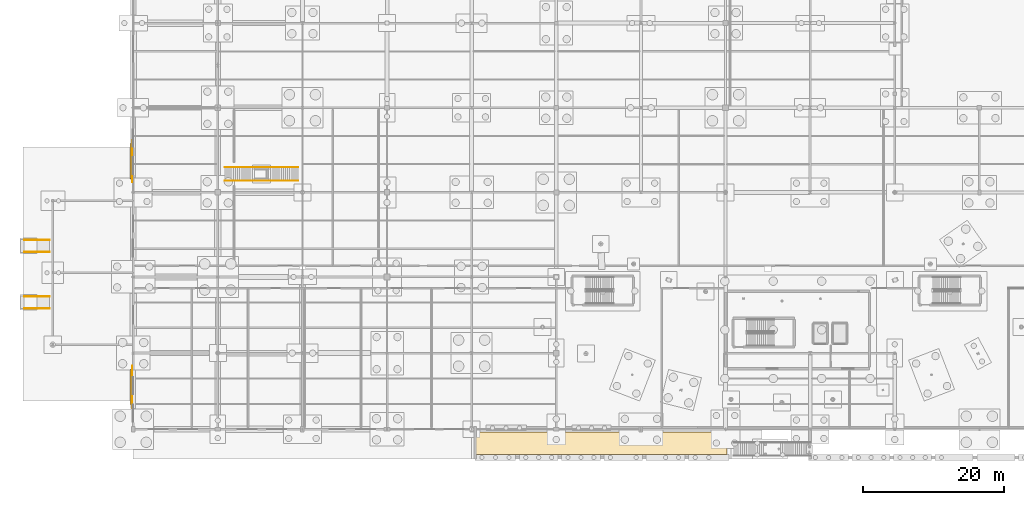
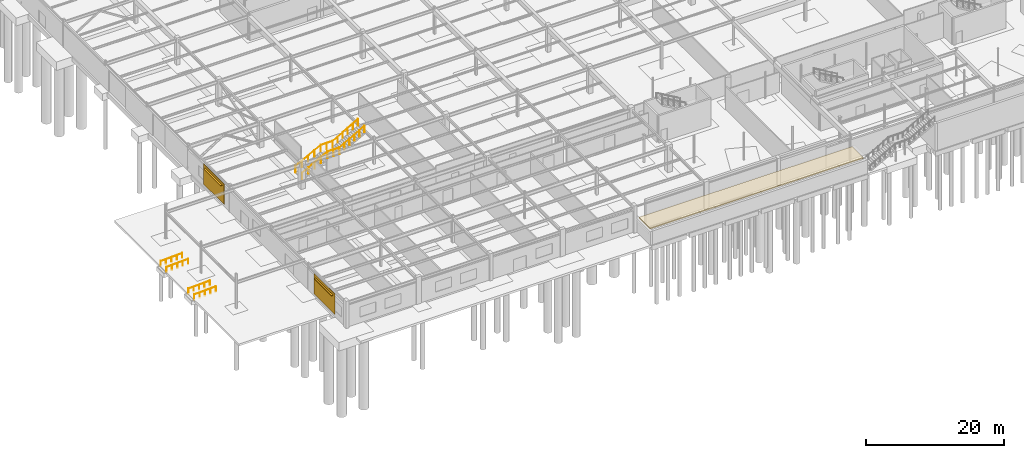
# One storey, part 128 of 136: 6 railings, 3 coverings, 2 shading devices.
"""IFC4 building model written with IfcOpenShell, lengths in metres."""

from ifc_helpers import new_model, si_unit, direction, frame, origin, origin_2d, place, context, subcontext, project, spatial, rectangle, circle, extrude, material, layer, layer_set, type_object, element, save


model = new_model("IFC4")

# Units and contexts
model_context = context("Model", 3, precision=1e-05, world=origin(), true_north=direction((0.0, 1.0)))
body_context = subcontext(model_context, "Body", "Model", "MODEL_VIEW")
ifc_project = project(units=[si_unit("LENGTHUNIT", "METRE"), si_unit("AREAUNIT", "SQUARE_METRE"), si_unit("VOLUMEUNIT", "CUBIC_METRE"), si_unit("PLANEANGLEUNIT", "RADIAN"), si_unit("MASSUNIT", "GRAM", prefix="KILO")], contexts=[model_context])

# Site, building, storey
site_placement = place(None, origin())
site = spatial("IfcSite", under=ifc_project, at=site_placement, CompositionType="ELEMENT")
building_placement = place(site_placement, origin())
building = spatial("IfcBuilding", under=site, at=building_placement, Name="Tarnwether General Hospital", CompositionType="ELEMENT")
storey_placement = place(building_placement, frame((0.0, 0.0, -4.800048828125)))
storey = spatial("IfcBuildingStorey", under=building, at=storey_placement, Name="LG", CompositionType="ELEMENT", Elevation=-4.800048828125)

# Coverings
ifc_material_1 = material(Name="Folded zinc-titanium cladding")
ifc_layer_1 = layer(ifc_material_1, 0.0400390625)
ifc_layer_set_1 = layer_set([ifc_layer_1], Name="Folded zinc-titanium cladding")
covering_type_1 = type_object("IfcCoveringType", Name="CV-CLD-ZNC", PredefinedType="CLADDING", material=ifc_layer_set_1)
for number, where, z_axis, x_axis, name in (
    (1, (-0.135009765625, 6.0, 0.39990234375), (0.0, 0.0, 1.0), (1.0, 0.0, 0.0), "Folded Zinc Rainscreen Panel LG 6"),
    (2, (-0.135009765625, 38.0, 0.39990234375), (0.0, 0.0, 1.0), (1.0, 0.0, 0.0), "Folded Zinc Rainscreen Panel LG 38"),
):
    element("IfcCovering", number, at=place(storey_placement, frame(where, z_axis=z_axis, x_axis=x_axis)), inside=storey, type_object=covering_type_1, Name=name, PredefinedType="CLADDING", context=body_context, shape_type="SweptSolid", body=[
        extrude(rectangle(XDim=0.0400390625, YDim=6.0, at=origin_2d()), origin(), (0.0, 0.0, 1.0), 3.60009765625),
    ])
ifc_material_2 = material(Name="Planted green roof media")
ifc_layer_2 = layer(ifc_material_2, 0.179931640625)
ifc_layer_set_2 = layer_set([ifc_layer_2], Name="Planted green roof media")
covering_type_2 = type_object("IfcCoveringType", Name="CV-RFG-GRN", PredefinedType="ROOFING", material=ifc_layer_set_2)
covering_placement = place(storey_placement, frame((66.39990234375, -2.0, 2.39990234375), z_axis=(0.0, 0.0, 1.0), x_axis=(1.0, 0.0, 0.0)))
element("IfcCovering", 3, at=covering_placement, inside=storey, type_object=covering_type_2, Name="Planted Healing Roof Garden Turf CV-GDN-MIDS", PredefinedType="ROOFING", context=body_context, shape_type="SweptSolid", body=[
    extrude(rectangle(XDim=35.60009765625, YDim=3.199951171875, at=origin_2d()), origin(), (0.0, 0.0, 1.0), 0.179931640625),
])

# Railings
ifc_material_3 = material(Name="Anodised aluminium", Category="aluminium")
railing_type_1 = type_object("IfcRailingType", Name="RL-GRD-EXT", PredefinedType="GUARDRAIL", material=ifc_material_3)
railing_1_placement = place(storey_placement, frame((13.0, 35.239990234375, 0.16015625)))
element("IfcRailing", 4, at=railing_1_placement, inside=storey, type_object=railing_type_1, Name="Feature Stair Guard ST-15 1", PredefinedType="GUARDRAIL", context=body_context, shape_type="SweptSolid", body=[
    extrude(circle(Radius=0.02392578125, at=origin_2d()), frame((0.0, 0.0, 1.1259765625), z_axis=(0.882351521365, 0.0, 0.470590897432), x_axis=(0.0, 1.0, 0.0)), (0.0, 0.0, 1.0), 4.760009765625),
    extrude(circle(Radius=0.02392578125, at=origin_2d()), frame((4.199951171875, 0.0, 3.36572265625), z_axis=(1.0, 0.0, 0.0), x_axis=(0.0, 1.0, 0.0)), (0.0, 0.0, 1.0), 2.0),
    extrude(circle(Radius=0.02392578125, at=origin_2d()), frame((6.199951171875, 0.0, 3.36572265625), z_axis=(0.868249353848, 0.0, 0.496128067682), x_axis=(0.0, 1.0, 0.0)), (0.0, 0.0, 1.0), 4.837158203125),
    extrude(circle(Radius=0.02099609375, at=origin_2d()), origin(), (0.0, 0.0, 1.0), 1.101806640625),
    extrude(circle(Radius=0.02099609375, at=origin_2d()), frame((1.050048828125, 0.0, 0.56005859375)), (0.0, 0.0, 1.0), 1.101806640625),
    extrude(circle(Radius=0.02099609375, at=origin_2d()), frame((2.10009765625, 0.0, 1.1201171875)), (0.0, 0.0, 1.0), 1.101806640625),
    extrude(circle(Radius=0.02099609375, at=origin_2d()), frame((3.14990234375, 0.0, 1.679931640625)), (0.0, 0.0, 1.0), 1.101806640625),
    extrude(circle(Radius=0.02099609375, at=origin_2d()), frame((4.199951171875, 0.0, 2.239990234375)), (0.0, 0.0, 1.0), 1.101806640625),
    extrude(circle(Radius=0.02099609375, at=origin_2d()), frame((5.199951171875, 0.0, 2.239990234375)), (0.0, 0.0, 1.0), 1.101806640625),
    extrude(circle(Radius=0.02099609375, at=origin_2d()), frame((6.199951171875, 0.0, 2.239990234375)), (0.0, 0.0, 1.0), 1.101806640625),
    extrude(circle(Radius=0.02099609375, at=origin_2d()), frame((7.0400390625, 0.0, 2.719970703125)), (0.0, 0.0, 1.0), 1.101806640625),
    extrude(circle(Radius=0.02099609375, at=origin_2d()), frame((7.8798828125, 0.0, 3.199951171875)), (0.0, 0.0, 1.0), 1.101806640625),
    extrude(circle(Radius=0.02099609375, at=origin_2d()), frame((8.719970703125, 0.0, 3.679931640625)), (0.0, 0.0, 1.0), 1.101806640625),
    extrude(circle(Radius=0.02099609375, at=origin_2d()), frame((9.559814453125, 0.0, 4.159912109375)), (0.0, 0.0, 1.0), 1.101806640625),
    extrude(circle(Radius=0.02099609375, at=origin_2d()), frame((10.39990234375, 0.0, 4.639892578125)), (0.0, 0.0, 1.0), 1.101806640625),
])
railing_2_placement = place(storey_placement, frame((13.0, 37.159912109375, 0.16015625)))
element("IfcRailing", 5, at=railing_2_placement, inside=storey, type_object=railing_type_1, Name="Feature Stair Guard ST-15 2", PredefinedType="GUARDRAIL", context=body_context, shape_type="SweptSolid", body=[
    extrude(circle(Radius=0.02392578125, at=origin_2d()), frame((0.0, 0.0, 1.1259765625), z_axis=(0.882351521365, 0.0, 0.470590897432), x_axis=(0.0, 1.0, 0.0)), (0.0, 0.0, 1.0), 4.760009765625),
    extrude(circle(Radius=0.02392578125, at=origin_2d()), frame((4.199951171875, 0.0, 3.36572265625), z_axis=(1.0, 0.0, 0.0), x_axis=(0.0, 1.0, 0.0)), (0.0, 0.0, 1.0), 2.0),
    extrude(circle(Radius=0.02392578125, at=origin_2d()), frame((6.199951171875, 0.0, 3.36572265625), z_axis=(0.868249353848, 0.0, 0.496128067682), x_axis=(0.0, 1.0, 0.0)), (0.0, 0.0, 1.0), 4.837158203125),
    extrude(circle(Radius=0.02099609375, at=origin_2d()), origin(), (0.0, 0.0, 1.0), 1.101806640625),
    extrude(circle(Radius=0.02099609375, at=origin_2d()), frame((1.050048828125, 0.0, 0.56005859375)), (0.0, 0.0, 1.0), 1.101806640625),
    extrude(circle(Radius=0.02099609375, at=origin_2d()), frame((2.10009765625, 0.0, 1.1201171875)), (0.0, 0.0, 1.0), 1.101806640625),
    extrude(circle(Radius=0.02099609375, at=origin_2d()), frame((3.14990234375, 0.0, 1.679931640625)), (0.0, 0.0, 1.0), 1.101806640625),
    extrude(circle(Radius=0.02099609375, at=origin_2d()), frame((4.199951171875, 0.0, 2.239990234375)), (0.0, 0.0, 1.0), 1.101806640625),
    extrude(circle(Radius=0.02099609375, at=origin_2d()), frame((5.199951171875, 0.0, 2.239990234375)), (0.0, 0.0, 1.0), 1.101806640625),
    extrude(circle(Radius=0.02099609375, at=origin_2d()), frame((6.199951171875, 0.0, 2.239990234375)), (0.0, 0.0, 1.0), 1.101806640625),
    extrude(circle(Radius=0.02099609375, at=origin_2d()), frame((7.0400390625, 0.0, 2.719970703125)), (0.0, 0.0, 1.0), 1.101806640625),
    extrude(circle(Radius=0.02099609375, at=origin_2d()), frame((7.8798828125, 0.0, 3.199951171875)), (0.0, 0.0, 1.0), 1.101806640625),
    extrude(circle(Radius=0.02099609375, at=origin_2d()), frame((8.719970703125, 0.0, 3.679931640625)), (0.0, 0.0, 1.0), 1.101806640625),
    extrude(circle(Radius=0.02099609375, at=origin_2d()), frame((9.559814453125, 0.0, 4.159912109375)), (0.0, 0.0, 1.0), 1.101806640625),
    extrude(circle(Radius=0.02099609375, at=origin_2d()), frame((10.39990234375, 0.0, 4.639892578125)), (0.0, 0.0, 1.0), 1.101806640625),
])
ifc_material_4 = material(Name="Anodised aluminium", Category="aluminium")
railing_type_2 = type_object("IfcRailingType", Name="RL-HND-INT", PredefinedType="HANDRAIL", material=ifc_material_4)
for number, where, name in (
    (6, (-15.449951171875, 17.14990234375, -0.14990234375), "Ramp Handrail RMP-01"),
    (7, (-15.449951171875, 18.85009765625, -0.14990234375), "Ramp Handrail RMP-01"),
    (8, (-15.449951171875, 25.14990234375, -0.14990234375), "Ramp Handrail RMP-02"),
    (9, (-15.449951171875, 26.85009765625, -0.14990234375), "Ramp Handrail RMP-02"),
):
    element("IfcRailing", number, at=place(storey_placement, frame(where)), inside=storey, type_object=railing_type_2, Name=name, PredefinedType="HANDRAIL", context=body_context, shape_type="SweptSolid", body=[
        extrude(circle(Radius=0.02392578125, at=origin_2d()), frame((0.0, 0.0, 0.8759765625), z_axis=(0.999134129699, 0.0, 0.041605178409), x_axis=(0.0, 1.0, 0.0)), (0.0, 0.0, 1.0), 3.60302734375),
        extrude(circle(Radius=0.02099609375, at=origin_2d()), origin(), (0.0, 0.0, 1.0), 0.851806640625),
        extrude(circle(Radius=0.02099609375, at=origin_2d()), frame((0.89990234375, 0.0, 0.03759765625)), (0.0, 0.0, 1.0), 0.851806640625),
        extrude(circle(Radius=0.02099609375, at=origin_2d()), frame((1.7998046875, 0.0, 0.074951171875)), (0.0, 0.0, 1.0), 0.851806640625),
        extrude(circle(Radius=0.02099609375, at=origin_2d()), frame((2.699951171875, 0.0, 0.1123046875)), (0.0, 0.0, 1.0), 0.851806640625),
        extrude(circle(Radius=0.02099609375, at=origin_2d()), frame((3.599853515625, 0.0, 0.14990234375)), (0.0, 0.0, 1.0), 0.851806640625),
    ])

# Shading devices
ifc_material_5 = material(Name="Anodised aluminium", Category="aluminium")
ifc_layer_3 = layer(ifc_material_5, 0.050048828125)
ifc_layer_set_3 = layer_set([ifc_layer_3], Name="Anodised aluminium")
shading_device_type = type_object("IfcShadingDeviceType", Name="SH-LVR-ALU", PredefinedType="JALOUSIE", material=ifc_layer_set_3)
for number, where, z_axis, x_axis, name in (
    (10, (-0.280029296875, 6.0, 3.47509765625), (0.0, 0.0, 1.0), (1.0, 0.0, 0.0), "West Solar Louvre 001"),
    (11, (-0.280029296875, 38.0, 3.47509765625), (0.0, 0.0, 1.0), (1.0, 0.0, 0.0), "West Solar Louvre 002"),
):
    element("IfcShadingDevice", number, at=place(storey_placement, frame(where, z_axis=z_axis, x_axis=x_axis)), inside=storey, type_object=shading_device_type, Name=name, PredefinedType="JALOUSIE", context=body_context, shape_type="SweptSolid", body=[
        extrude(rectangle(XDim=0.340087890625, YDim=5.0, at=origin_2d()), origin(), (0.0, 0.0, 1.0), 0.050048828125),
    ])

save(model, "model.ifc")
